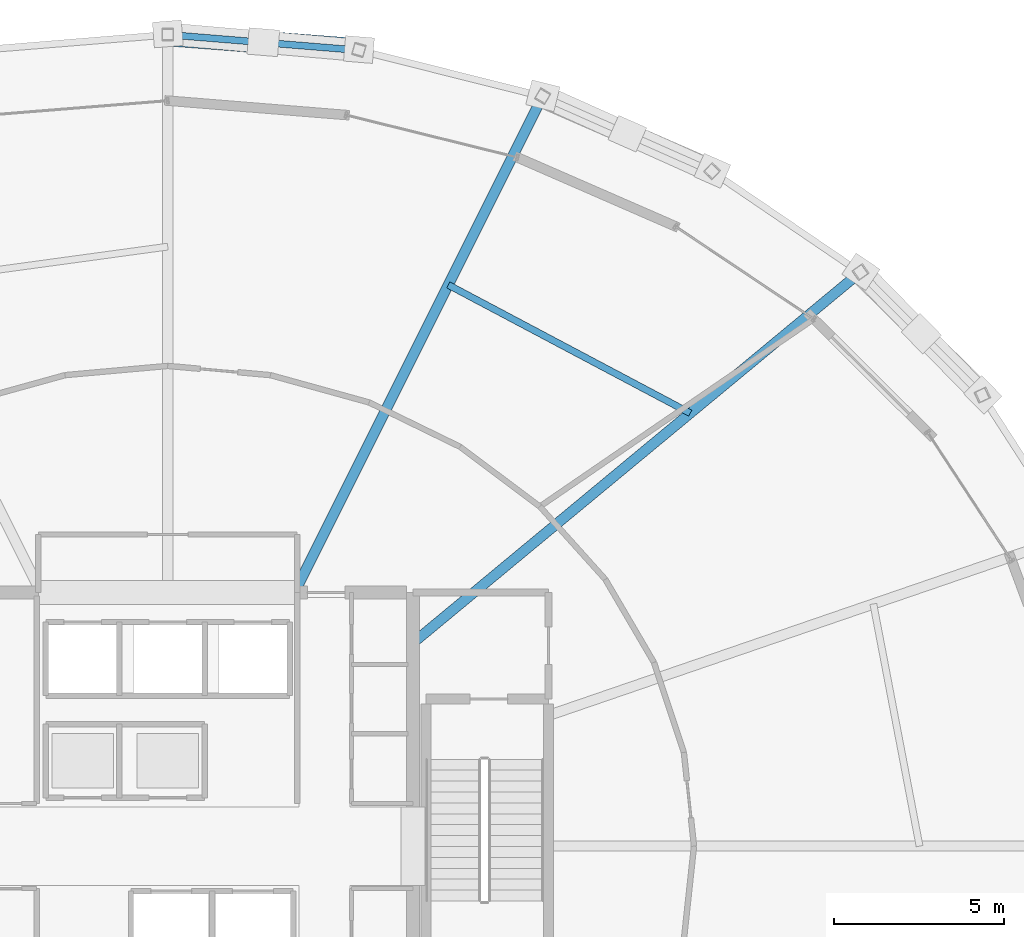
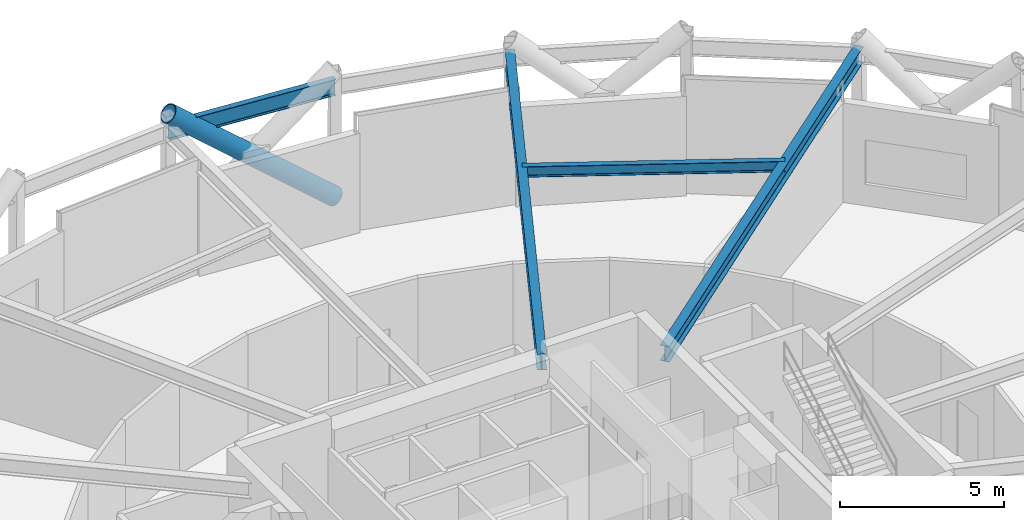
# One storey, part 26 of 39: 4 beams, 1 member.
"""IFC4 building model written with IfcOpenShell, lengths in metres."""

from ifc_helpers import new_model, si_unit, direction, frame, origin, origin_2d, place, context, subcontext, project, spatial, hollow_circle, i_section, extrude, material, material_profile, profile_set, type_object, element, save


model = new_model("IFC4")

# Units and contexts
model_context = context("Model", 3, precision=1e-05, world=origin(), true_north=direction((0.0, 1.0)))
body_context = subcontext(model_context, "Body", "Model", "MODEL_VIEW")
ifc_project = project(units=[si_unit("LENGTHUNIT", "METRE"), si_unit("AREAUNIT", "SQUARE_METRE"), si_unit("VOLUMEUNIT", "CUBIC_METRE"), si_unit("PLANEANGLEUNIT", "RADIAN"), si_unit("MASSUNIT", "GRAM", prefix="KILO")], contexts=[model_context])

# Site, building, storey
site_placement = place(None, origin())
site = spatial("IfcSite", under=ifc_project, at=site_placement, CompositionType="ELEMENT")
building_placement = place(site_placement, origin())
building = spatial("IfcBuilding", under=site, at=building_placement, Name="Veldorina Hangang Commons", CompositionType="ELEMENT")
storey_placement = place(building_placement, frame((0.0, 0.0, 106.0)))
storey = spatial("IfcBuildingStorey", under=building, at=storey_placement, Name="L27", CompositionType="ELEMENT", Elevation=106.0)

# Beams
ifc_material_1 = material(Name="Steel SM460-TMC", Category="steel")
ifc_material_profile_1 = material_profile(ifc_material_1, i_section(OverallWidth=0.300048828125, OverallDepth=0.587890625, WebThickness=0.011962890625, FlangeThickness=0.02001953125, FilletRadius=0.01806640625, at=origin_2d()), Name="H-588x300x12x20")
ifc_profile_set_1 = profile_set([ifc_material_profile_1], Name="Steel SM460-TMC")
beam_type_1 = type_object("IfcBeamType", Name="BM-FG588", PredefinedType="BEAM", material=ifc_profile_set_1)
beam_1_placement = place(storey_placement, frame((39.199951171875, 29.966552734375, 4.14599609375), z_axis=(0.769977546462, 0.638070981901, 0.0), x_axis=(-0.638070981901, 0.769977546462, 0.0)))
element("IfcBeam", 1, at=beam_1_placement, inside=storey, type_object=beam_type_1, Name="L27 radial floor girder 03", PredefinedType="BEAM", context=body_context, shape_type="SweptSolid", body=[
    extrude(i_section(OverallWidth=0.300048828125, OverallDepth=0.587890625, WebThickness=0.011962890625, FlangeThickness=0.02001953125, FilletRadius=0.01806640625, at=origin_2d()), origin(), (0.0, 0.0, 1.0), 17.052001953125),
])
beam_2_placement = place(storey_placement, frame((35.723876953125, 31.449951171875, 4.14599609375), z_axis=(0.447087617095, 0.894490169113, 0.0), x_axis=(-0.894490169113, 0.447087617095, 0.0)))
element("IfcBeam", 2, at=beam_2_placement, inside=storey, type_object=beam_type_1, Name="L27 radial floor girder 04", PredefinedType="BEAM", context=body_context, shape_type="SweptSolid", body=[
    extrude(i_section(OverallWidth=0.300048828125, OverallDepth=0.587890625, WebThickness=0.011962890625, FlangeThickness=0.02001953125, FilletRadius=0.01806640625, at=origin_2d()), origin(), (0.0, 0.0, 1.0), 16.279296875),
])
ifc_material_2 = material(Name="Steel SM355-TMC", Category="steel")
ifc_material_profile_2 = material_profile(ifc_material_2, i_section(OverallWidth=0.199951171875, OverallDepth=0.39990234375, WebThickness=0.008056640625, FlangeThickness=0.012939453125, FilletRadius=0.012939453125, at=origin_2d()), Name="H-400x200x8x13")
ifc_profile_set_2 = profile_set([ifc_material_profile_2], Name="Steel SM355-TMC")
beam_type_2 = type_object("IfcBeamType", Name="BM-JST400", PredefinedType="JOIST", material=ifc_profile_set_2)
beam_3_placement = place(storey_placement, frame((47.34033203125, 36.71240234375, 4.239990234375), z_axis=(-0.883527790621, 0.468378739057, 0.0), x_axis=(-0.468378739057, -0.883527790621, 0.0)))
element("IfcBeam", 3, at=beam_3_placement, inside=storey, type_object=beam_type_2, Name="L27 secondary floor joist 03", PredefinedType="JOIST", context=body_context, shape_type="SweptSolid", body=[
    extrude(i_section(OverallWidth=0.199951171875, OverallDepth=0.39990234375, WebThickness=0.008056640625, FlangeThickness=0.012939453125, FilletRadius=0.012939453125, at=origin_2d()), origin(), (0.0, 0.0, 1.0), 8.040283203125),
])
ifc_material_3 = material(Name="Steel SM420-TMC", Category="steel")
ifc_material_profile_3 = material_profile(ifc_material_3, i_section(OverallWidth=0.199951171875, OverallDepth=0.60009765625, WebThickness=0.010986328125, FlangeThickness=0.01708984375, FilletRadius=0.01806640625, at=origin_2d()), Name="H-600x200x11x17")
ifc_profile_set_3 = profile_set([ifc_material_profile_3], Name="Steel SM420-TMC")
beam_type_3 = type_object("IfcBeamType", Name="BM-RB600", PredefinedType="BEAM", material=ifc_profile_set_3)
beam_4_placement = place(storey_placement, frame((37.60888671875, 47.367431640625, 4.139892578125), z_axis=(-0.996686123384, 0.081343539712, 0.0), x_axis=(-0.081343539712, -0.996686123384, 0.0)))
element("IfcBeam", 4, at=beam_4_placement, inside=storey, type_object=beam_type_3, Name="L27 perimeter hoop ring beam 07", PredefinedType="BEAM", context=body_context, shape_type="SweptSolid", body=[
    extrude(i_section(OverallWidth=0.199951171875, OverallDepth=0.60009765625, WebThickness=0.010986328125, FlangeThickness=0.01708984375, FilletRadius=0.01806640625, at=origin_2d()), origin(), (0.0, 0.0, 1.0), 5.62744140625),
])

# Member
ifc_material_profile_4 = material_profile(ifc_material_1, hollow_circle(Radius=0.324951171875, WallThickness=0.031982421875, at=origin_2d()), Name="CHS-650x32")
ifc_profile_set_4 = profile_set([ifc_material_profile_4], Name="Steel SM460-TMC")
member_type = type_object("IfcMemberType", Name="DG-CHS650", PredefinedType="BRACE", material=ifc_profile_set_4)
member_placement = place(storey_placement, frame((37.615234375, 47.389892578125, 0.0), z_axis=(-0.75883181169, 0.058331071438, 0.648669228245), x_axis=(-0.076643458321, -0.997058564126, 0.0)))
element("IfcMember", 5, at=member_placement, inside=storey, type_object=member_type, Name="L27 continuous perimeter diagrid brace 07", PredefinedType="BRACE", context=body_context, shape_type="SweptSolid", body=[
    extrude(hollow_circle(Radius=0.324951171875, WallThickness=0.031982421875, at=origin_2d()), origin(), (0.0, 0.0, 1.0), 7.39990234375),
])

save(model, "model.ifc")
